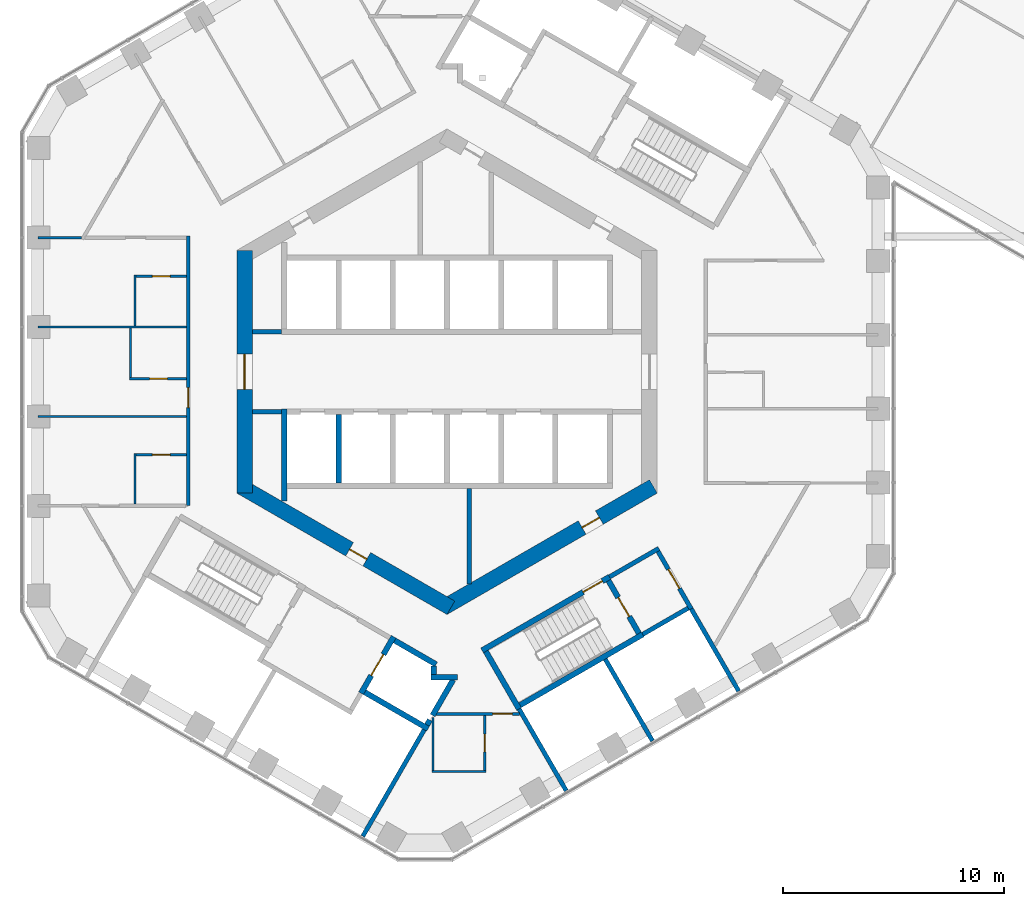
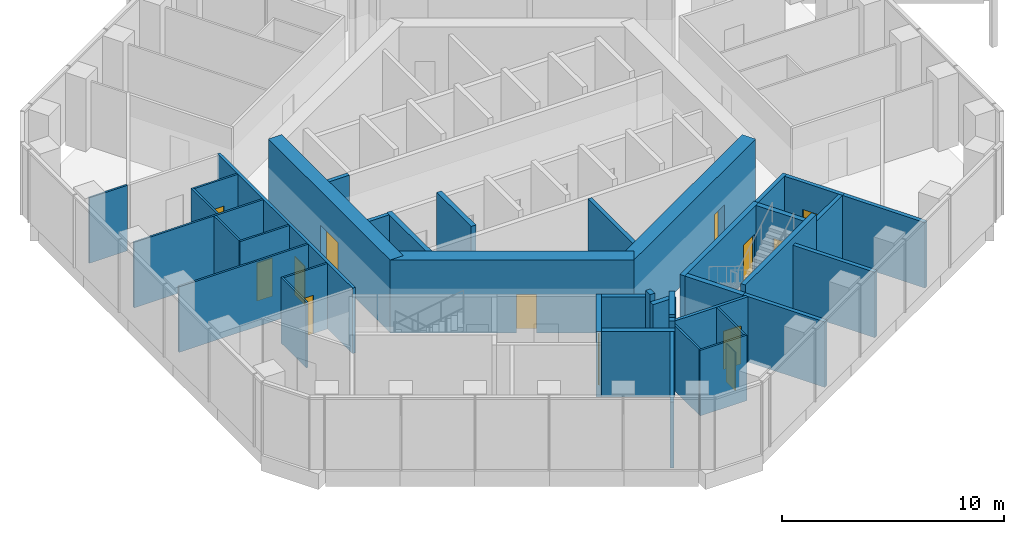
# One storey, part 19 of 25: 40 walls, 13 doors, 13 openings.
"""IFC4 building model written with IfcOpenShell, lengths in metres."""

import ifcopenshell
import ifcopenshell.guid

model = None  # the IFC model being written
_history = None  # IfcOwnerHistory: only IFC2X3 demands one
_inside = {}  # id of a spatial element -> (the spatial element, [elements in it])
_under = {}  # id of a project, library or spatial element -> (it, [spatial elements below it])
_declared = {}  # id of a project -> (the project, [libraries it declares])
_typed = {}  # id of a type object -> (the type object, [elements of that type])
_made_of = {}  # id of a material, layer set ... -> (it, [elements and type objects made of it])


def new_model(schema):
    """Start an empty IFC model of exactly this schema.

    Asked for "IFC4X3", IfcOpenShell would pick the latest addendum, in which some entities
    have other attributes; the version numbers below select the first issue.
    IFC2X3 requires an IfcOwnerHistory on every rooted entity: one is made here for all.
    """
    global model, _history
    if schema == "IFC4X3":
        model = ifcopenshell.file(schema_version=(4, 3, 0, 0))
    else:
        model = ifcopenshell.file(schema=schema)
    _inside.clear()
    _under.clear()
    _declared.clear()
    _typed.clear()
    _made_of.clear()
    _history = None
    if model.schema == "IFC2X3":
        org = make("IfcOrganization", Name="unknown")
        user = make(
            "IfcPersonAndOrganization",
            ThePerson=make("IfcPerson", FamilyName="unknown"),
            TheOrganization=org,
        )
        app = make(
            "IfcApplication",
            ApplicationDeveloper=org,
            Version="unknown",
            ApplicationFullName="unknown",
            ApplicationIdentifier="unknown",
        )
        _history = make(
            "IfcOwnerHistory",
            OwningUser=user,
            OwningApplication=app,
            ChangeAction="ADDED",
            CreationDate=0,
        )
    return model


def make(cls, **values):
    """One entity of the class cls with the attributes given. An attribute that is None is left unset."""
    return model.create_entity(
        cls, **{name: value for name, value in values.items() if value is not None}
    )


def rooted(cls, **values):
    """An entity with a GlobalId (a new one), such as an element, a storey or a relation."""
    return make(cls, GlobalId=ifcopenshell.guid.new(), OwnerHistory=_history, **values)


def si_unit(unit_type, name, prefix=None):
    """IfcSIUnit, for example si_unit("LENGTHUNIT", "METRE", prefix="MILLI")."""
    return make("IfcSIUnit", UnitType=unit_type, Prefix=prefix, Name=name)


def assignment(units):
    """IfcUnitAssignment: the units of a project."""
    return None if units is None else make("IfcUnitAssignment", Units=units)


def point(xyz):
    """IfcCartesianPoint."""
    return None if xyz is None else make("IfcCartesianPoint", Coordinates=xyz)


def direction(xyz):
    """IfcDirection."""
    return None if xyz is None else make("IfcDirection", DirectionRatios=xyz)


def frame(location, z_axis=None, x_axis=None):
    """IfcAxis2Placement3D, a coordinate frame: its origin and axes. An axis left out is left unset."""
    return make(
        "IfcAxis2Placement3D",
        Location=point(location),
        Axis=direction(z_axis),
        RefDirection=direction(x_axis),
    )


def frame_2d(location, x_axis=None):
    """IfcAxis2Placement2D, a coordinate frame in the plane: its origin and x axis."""
    return make(
        "IfcAxis2Placement2D", Location=point(location), RefDirection=direction(x_axis)
    )


def origin():
    """The frame at (0, 0, 0) with its axes left unset."""
    return frame((0.0, 0.0, 0.0))


def place(relative_to, where):
    """IfcLocalPlacement: puts the frame where relative to a parent placement (None: the world)."""
    return make(
        "IfcLocalPlacement", PlacementRelTo=relative_to, RelativePlacement=where
    )


def context(
    kind, dimensions, precision=None, world=None, true_north=None, identifier=None
):
    """IfcGeometricRepresentationContext, for example the 3D "Model" context."""
    return make(
        "IfcGeometricRepresentationContext",
        ContextIdentifier=identifier,
        ContextType=kind,
        CoordinateSpaceDimension=dimensions,
        Precision=precision,
        WorldCoordinateSystem=world,
        TrueNorth=true_north,
    )


def subcontext(parent, identifier, kind, view, scale=None):
    """IfcGeometricRepresentationSubContext, for example "Body" below "Model"."""
    return make(
        "IfcGeometricRepresentationSubContext",
        ContextIdentifier=identifier,
        ContextType=kind,
        ParentContext=parent,
        TargetScale=scale,
        TargetView=view,
    )


def project(units=None, contexts=None):
    """IfcProject with its units and contexts."""
    return rooted(
        "IfcProject",
        Name="project",
        RepresentationContexts=contexts,
        UnitsInContext=assignment(units),
    )


def spatial(cls, under=None, at=None, **own):
    """A site, building, storey or space (cls), placed at a placement, below another one or the project."""
    s = rooted(cls, ObjectPlacement=at, **own)
    if under is not None:
        _under.setdefault(under.id(), (under, []))[1].append(s)
    return s


def profile(cls, at=None, kind="AREA", **sizes):
    """A parametric profile (cls). Its sizes go by their IFC names, for example OverallWidth=200.0."""
    return make(cls, ProfileType=kind, Position=at, **sizes)


def rectangle(**sizes):
    """IfcRectangleProfileDef."""
    return profile("IfcRectangleProfileDef", **sizes)


def extrude(swept, where, along, depth):
    """IfcExtrudedAreaSolid: the profile swept, set in the frame where, extruded along a direction by depth."""
    return make(
        "IfcExtrudedAreaSolid",
        SweptArea=swept,
        Position=where,
        ExtrudedDirection=direction(along),
        Depth=depth,
    )


def shape(context_of_items, identifier, shape_type, items):
    """IfcShapeRepresentation: the items that make up one representation, for example the "Body"."""
    return make(
        "IfcShapeRepresentation",
        ContextOfItems=context_of_items,
        RepresentationIdentifier=identifier,
        RepresentationType=shape_type,
        Items=items,
    )


def material(Name=None, Category=None):
    """IfcMaterial."""
    return make("IfcMaterial", Name=Name, Category=Category)


def layer(
    of_material, thickness, ventilated=None, Name=None, Category=None, Priority=None
):
    """IfcMaterialLayer: one layer of a wall or slab, of a material (None: an air gap)."""
    return make(
        "IfcMaterialLayer",
        Material=of_material,
        LayerThickness=thickness,
        IsVentilated=ventilated,
        Name=Name,
        Category=Category,
        Priority=Priority,
    )


def layer_set(layers, Name=None):
    """IfcMaterialLayerSet."""
    return make("IfcMaterialLayerSet", MaterialLayers=layers, LayerSetName=Name)


def made_of(thing, what):
    """Note that an element or type object is made of a material, layer set ...; save() writes the relation."""
    if what is not None:
        _made_of.setdefault(what.id(), (what, []))[1].append(thing)
    return thing


def type_object(cls, material=None, **own):
    """A type object (cls), such as IfcWallType, which elements share."""
    return made_of(rooted(cls, **own), material)


def element(
    cls,
    number,
    at=None,
    inside=None,
    cuts=None,
    type_object=None,
    material=None,
    context=None,
    identifier="Body",
    shape_type=None,
    held_by="IfcProductDefinitionShape",
    body=None,
    shapes=None,
    **own,
):
    """One element of the class cls, such as IfcWall. Its Tag is "e" and its number.

    at: its placement. inside: the storey or other place that contains it. cuts: it is an
    opening in that element (IfcRelVoidsElement). A single representation is given by context,
    identifier, shape_type and body (its items); several are given by shapes. held_by: the class
    of the entity that holds the representations. save() writes the other relations.
    """
    e = rooted(cls, Tag="e%d" % number, ObjectPlacement=at, **own)
    if body is not None:
        shapes = [shape(context, identifier, shape_type, body)]
    if shapes is not None:
        e.Representation = make(held_by, Representations=shapes)
    if inside is not None:
        _inside.setdefault(inside.id(), (inside, []))[1].append(e)
    if cuts is not None:
        rooted(
            "IfcRelVoidsElement", RelatingBuildingElement=cuts, RelatedOpeningElement=e
        )
    if type_object is not None:
        _typed.setdefault(type_object.id(), (type_object, []))[1].append(e)
    return made_of(e, material)


def fill(opening, filler):
    """IfcRelFillsElement: the door or window that sits in an opening."""
    return rooted(
        "IfcRelFillsElement",
        RelatingOpeningElement=opening,
        RelatedBuildingElement=filler,
    )


def aggregate(whole, parts):
    """IfcRelAggregates: a whole, such as a stair, and the parts it consists of."""
    return rooted("IfcRelAggregates", RelatingObject=whole, RelatedObjects=parts)


def save(model, path):
    """Write the relations noted so far, then the file.

    IfcRelAggregates (storeys below a building ...), IfcRelContainedInSpatialStructure (elements
    in a storey), IfcRelDefinesByType, IfcRelAssociatesMaterial and IfcRelDeclares: one each for
    every whole, place, type object, material and project.
    """
    for whole, parts in _under.values():
        aggregate(whole, parts)
    for where, things in _inside.values():
        rooted(
            "IfcRelContainedInSpatialStructure",
            RelatedElements=things,
            RelatingStructure=where,
        )
    for kind, things in _typed.values():
        rooted("IfcRelDefinesByType", RelatedObjects=things, RelatingType=kind)
    for what, things in _made_of.values():
        rooted("IfcRelAssociatesMaterial", RelatedObjects=things, RelatingMaterial=what)
    for by, libraries in _declared.values():
        rooted("IfcRelDeclares", RelatingContext=by, RelatedDefinitions=libraries)
    model.write(path)


model = new_model("IFC4")

# Units and contexts
model_context = context("Model", 3, precision=1e-05, world=origin(), true_north=direction((0.0, 1.0)))
body_context = subcontext(model_context, "Body", "Model", "MODEL_VIEW")
ifc_project = project(units=[si_unit("LENGTHUNIT", "METRE"), si_unit("AREAUNIT", "SQUARE_METRE"), si_unit("VOLUMEUNIT", "CUBIC_METRE"), si_unit("PLANEANGLEUNIT", "RADIAN"), si_unit("MASSUNIT", "GRAM", prefix="KILO")], contexts=[model_context])

# Site, building, storey
site_placement = place(None, origin())
site = spatial("IfcSite", under=ifc_project, at=site_placement, CompositionType="ELEMENT")
building_placement = place(site_placement, origin())
building = spatial("IfcBuilding", under=site, at=building_placement, Name="Ayvan Gate Tower", CompositionType="ELEMENT")
storey_placement = place(building_placement, frame((0.0, 0.0, 139.89990234375)))
storey = spatial("IfcBuildingStorey", under=building, at=storey_placement, Name="L37", CompositionType="ELEMENT", Elevation=139.89990234375)

# Wall, opening, door
ifc_material_1 = material(Name="Concrete C70/85", Category="concrete")
ifc_layer_1 = layer(ifc_material_1, 0.699951171875)
ifc_layer_set_1 = layer_set([ifc_layer_1], Name="Concrete C70/85")
wall_type_1 = type_object("IfcWallType", Name="Core wall 700 C70/85", PredefinedType="SHEAR", material=ifc_layer_set_1)
wall_1_placement = place(storey_placement, frame((-9.14990234375, 5.48486328125, 0.0), z_axis=(0.0, 0.0, 1.0), x_axis=(0.0, -1.0, 0.0)))
wall_1 = element("IfcWall", 1, at=wall_1_placement, inside=storey, type_object=wall_type_1, Name="CORE-L37-3", PredefinedType="SHEAR", context=body_context, shape_type="SweptSolid", body=[
    extrude(rectangle(XDim=10.9697265625, YDim=0.699951171875, at=frame_2d((5.48486328125, 0.0))), origin(), (0.0, 0.0, 1.0), 4.0),
])
opening_1_placement = place(wall_1_placement, frame((4.684814453125, 0.0, 0.0)))
opening_1 = element("IfcOpeningElement", 2, at=opening_1_placement, cuts=wall_1, Name="Opening L37-D53", PredefinedType="OPENING", context=body_context, shape_type="SweptSolid", body=[
    extrude(rectangle(XDim=1.60009765625, YDim=2.10009765625, at=frame_2d((0.800048828125, 1.050048828125))), frame((0.0, 0.35986328125, 0.0), z_axis=(0.0, -1.0, 0.0), x_axis=(1.0, 0.0, 0.0)), (0.0, 0.0, 1.0), 0.719970703125),
])
ifc_material_2 = material(Name="Timber door leaf", Category="wood")
door_type_1 = type_object("IfcDoorType", Name="DT-1600", OperationType="NOTDEFINED", PredefinedType="DOOR", material=ifc_material_2)
door_1_placement = place(opening_1_placement, origin())
door_1 = element("IfcDoor", 3, at=door_1_placement, inside=storey, type_object=door_type_1, Name="CD-L37-53", OperationType="SINGLE_SWING_RIGHT", OverallHeight=2.10009765625, OverallWidth=1.60009765625, PredefinedType="DOOR", context=body_context, shape_type="SweptSolid", body=[
    extrude(rectangle(XDim=1.60009765625, YDim=2.10009765625, at=frame_2d((0.800048828125, 1.050048828125))), frame((0.0, 0.02490234375, 0.0), z_axis=(0.0, -1.0, 0.0), x_axis=(1.0, 0.0, 0.0)), (0.0, 0.0, 1.0), 0.050048828125),
])
fill(opening_1, door_1)

wall_2_placement = place(storey_placement, frame((-9.324951171875, -5.181640625, 0.0), z_axis=(0.0, 0.0, 1.0), x_axis=(0.866023993627, -0.500002442456, 0.0)))
wall_2 = element("IfcWall", 4, at=wall_2_placement, inside=storey, type_object=wall_type_1, Name="CORE-L37-4", PredefinedType="SHEAR", context=body_context, shape_type="SweptSolid", body=[
    extrude(rectangle(XDim=10.9697265625, YDim=0.699951171875, at=frame_2d((5.48486328125, 0.0))), origin(), (0.0, 0.0, 1.0), 4.0),
])
opening_2_placement = place(wall_2_placement, frame((5.68212890625, 0.0, 0.0)))
opening_2 = element("IfcOpeningElement", 5, at=opening_2_placement, cuts=wall_2, Name="Opening L37-D50", PredefinedType="OPENING", context=body_context, shape_type="SweptSolid", body=[
    extrude(rectangle(XDim=0.89990234375, YDim=2.10009765625, at=frame_2d((0.449951171875, 1.050048828125))), frame((0.0, 0.35986328125, 0.0), z_axis=(0.0, -1.0, 0.0), x_axis=(1.0, 0.0, 0.0)), (0.0, 0.0, 1.0), 0.719970703125),
])
door_type_2 = type_object("IfcDoorType", Name="DT-900", OperationType="NOTDEFINED", PredefinedType="DOOR", material=ifc_material_2)
door_2_placement = place(opening_2_placement, origin())
door_2 = element("IfcDoor", 6, at=door_2_placement, inside=storey, type_object=door_type_2, Name="CD-L37-50", OperationType="SINGLE_SWING_LEFT", OverallHeight=2.10009765625, OverallWidth=0.89990234375, PredefinedType="DOOR", context=body_context, shape_type="SweptSolid", body=[
    extrude(rectangle(XDim=0.89990234375, YDim=2.10009765625, at=frame_2d((0.449951171875, 1.050048828125))), frame((0.0, 0.02490234375, 0.0), z_axis=(0.0, -1.0, 0.0), x_axis=(1.0, 0.0, 0.0)), (0.0, 0.0, 1.0), 0.050048828125),
])
fill(opening_2, door_2)

wall_3_placement = place(storey_placement, frame((-0.175048828125, -10.66650390625, 0.0), z_axis=(0.0, 0.0, 1.0), x_axis=(0.866023993627, 0.500002442456, 0.0)))
wall_3 = element("IfcWall", 7, at=wall_3_placement, inside=storey, type_object=wall_type_1, Name="CORE-L37-5", PredefinedType="SHEAR", context=body_context, shape_type="SweptSolid", body=[
    extrude(rectangle(XDim=10.9697265625, YDim=0.699951171875, at=frame_2d((5.48486328125, 0.0))), origin(), (0.0, 0.0, 1.0), 4.0),
])
opening_3_placement = place(wall_3_placement, frame((7.25244140625, 0.0, 0.0)))
opening_3 = element("IfcOpeningElement", 8, at=opening_3_placement, cuts=wall_3, Name="Opening L37-D51", PredefinedType="OPENING", context=body_context, shape_type="SweptSolid", body=[
    extrude(rectangle(XDim=0.89990234375, YDim=2.10009765625, at=frame_2d((0.449951171875, 1.050048828125))), frame((0.0, 0.35986328125, 0.0), z_axis=(0.0, -1.0, 0.0), x_axis=(1.0, 0.0, 0.0)), (0.0, 0.0, 1.0), 0.719970703125),
])
door_3_placement = place(opening_3_placement, origin())
door_3 = element("IfcDoor", 9, at=door_3_placement, inside=storey, type_object=door_type_2, Name="CD-L37-51", OperationType="SINGLE_SWING_RIGHT", OverallHeight=2.10009765625, OverallWidth=0.89990234375, PredefinedType="DOOR", context=body_context, shape_type="SweptSolid", body=[
    extrude(rectangle(XDim=0.89990234375, YDim=2.10009765625, at=frame_2d((0.449951171875, 1.050048828125))), frame((0.0, 0.02490234375, 0.0), z_axis=(0.0, -1.0, 0.0), x_axis=(1.0, 0.0, 0.0)), (0.0, 0.0, 1.0), 0.050048828125),
])
fill(opening_3, door_3)

ifc_material_3 = material(Name="Plasterboard on steel stud", Category="steel")
ifc_layer_2 = layer(ifc_material_3, 0.14990234375)
ifc_layer_set_2 = layer_set([ifc_layer_2], Name="Plasterboard on steel stud")
wall_type_2 = type_object("IfcWallType", Name="WT-CORR-150", PredefinedType="PARTITIONING", material=ifc_layer_set_2)
wall_4_placement = place(storey_placement, frame((-11.699951171875, 6.129150390625, 0.0), z_axis=(0.0, 0.0, 1.0), x_axis=(0.0, -1.0, 0.0)))
wall_4 = element("IfcWall", 10, at=wall_4_placement, inside=storey, type_object=wall_type_2, Name="IW-L37-017", PredefinedType="PARTITIONING", context=body_context, shape_type="SweptSolid", body=[
    extrude(rectangle(XDim=12.183349609375, YDim=0.14990234375, at=frame_2d((6.091796875, 0.0))), origin(), (0.0, 0.0, 1.0), 3.60009765625),
])
opening_4_placement = place(wall_4_placement, frame((6.847412109375, 0.0, 0.0)))
opening_4 = element("IfcOpeningElement", 11, at=opening_4_placement, cuts=wall_4, Name="Opening L37-D24", PredefinedType="OPENING", context=body_context, shape_type="SweptSolid", body=[
    extrude(rectangle(XDim=0.89990234375, YDim=2.10009765625, at=frame_2d((0.449951171875, 1.050048828125))), frame((0.0, 0.0849609375, 0.0), z_axis=(0.0, -1.0, 0.0), x_axis=(1.0, 0.0, 0.0)), (0.0, 0.0, 1.0), 0.169921875),
])
door_4_placement = place(opening_4_placement, origin())
door_4 = element("IfcDoor", 12, at=door_4_placement, inside=storey, type_object=door_type_2, Name="ID-L37-024", OperationType="SINGLE_SWING_LEFT", OverallHeight=2.10009765625, OverallWidth=0.89990234375, PredefinedType="DOOR", context=body_context, shape_type="SweptSolid", body=[
    extrude(rectangle(XDim=0.89990234375, YDim=2.10009765625, at=frame_2d((0.449951171875, 1.050048828125))), frame((0.0, 0.02490234375, 0.0), z_axis=(0.0, -1.0, 0.0), x_axis=(1.0, 0.0, 0.0)), (0.0, 0.0, 1.0), 0.050048828125),
])
fill(opening_4, door_4)

wall_5_placement = place(storey_placement, frame((-0.489013671875, -15.46337890625, 0.0), z_axis=(0.0, 0.0, 1.0), x_axis=(1.0, 0.0, 0.0)))
wall_5 = element("IfcWall", 13, at=wall_5_placement, inside=storey, type_object=wall_type_2, Name="IW-L37-072", PredefinedType="PARTITIONING", context=body_context, shape_type="SweptSolid", body=[
    extrude(rectangle(XDim=3.7744140625, YDim=0.14990234375, at=frame_2d((1.88720703125, 0.0))), origin(), (0.0, 0.0, 1.0), 3.60009765625),
])
opening_5_placement = place(wall_5_placement, frame((2.5478515625, 0.0, 0.0)))
opening_5 = element("IfcOpeningElement", 14, at=opening_5_placement, cuts=wall_5, Name="Opening L37-D29", PredefinedType="OPENING", context=body_context, shape_type="SweptSolid", body=[
    extrude(rectangle(XDim=0.89990234375, YDim=2.10009765625, at=frame_2d((0.449951171875, 1.050048828125))), frame((0.0, 0.0849609375, 0.0), z_axis=(0.0, -1.0, 0.0), x_axis=(1.0, 0.0, 0.0)), (0.0, 0.0, 1.0), 0.169921875),
])
door_5_placement = place(opening_5_placement, origin())
door_5 = element("IfcDoor", 15, at=door_5_placement, inside=storey, type_object=door_type_2, Name="ID-L37-029", OperationType="SINGLE_SWING_RIGHT", OverallHeight=2.10009765625, OverallWidth=0.89990234375, PredefinedType="DOOR", context=body_context, shape_type="SweptSolid", body=[
    extrude(rectangle(XDim=0.89990234375, YDim=2.10009765625, at=frame_2d((0.449951171875, 1.050048828125))), frame((0.0, 0.02490234375, 0.0), z_axis=(0.0, -1.0, 0.0), x_axis=(1.0, 0.0, 0.0)), (0.0, 0.0, 1.0), 0.050048828125),
])
fill(opening_5, door_5)

# Wall
ifc_layer_3 = layer(ifc_material_3, 0.10009765625)
ifc_layer_set_3 = layer_set([ifc_layer_3], Name="Plasterboard on steel stud")
wall_type_3 = type_object("IfcWallType", Name="WT-PART-100", PredefinedType="PARTITIONING", material=ifc_layer_set_3)
wall_6_placement = place(storey_placement, frame((-16.513916015625, 6.05419921875, 0.0), z_axis=(0.0, 0.0, 1.0), x_axis=(-1.0, 0.0, 0.0)))
element("IfcWall", 16, at=wall_6_placement, inside=storey, type_object=wall_type_3, Name="IW-L37-002", PredefinedType="PARTITIONING", context=body_context, shape_type="SweptSolid", body=[
    extrude(rectangle(XDim=1.980224609375, YDim=0.10009765625, at=frame_2d((0.990234375, 0.0))), origin(), (0.0, 0.0, 1.0), 3.60009765625),
])

# Wall, opening, door
wall_7_placement = place(storey_placement, frame((-14.35009765625, -0.318115234375, 0.0), z_axis=(0.0, 0.0, 1.0), x_axis=(1.0, 0.0, 0.0)))
wall_7 = element("IfcWall", 17, at=wall_7_placement, inside=storey, type_object=wall_type_3, Name="IW-L37-005", PredefinedType="PARTITIONING", context=body_context, shape_type="SweptSolid", body=[
    extrude(rectangle(XDim=2.5751953125, YDim=0.10009765625, at=frame_2d((1.28759765625, 0.0))), origin(), (0.0, 0.0, 1.0), 3.60009765625),
])
opening_6_placement = place(wall_7_placement, frame((0.91259765625, 0.0, 0.0)))
opening_6 = element("IfcOpeningElement", 18, at=opening_6_placement, cuts=wall_7, Name="Opening L37-D25", PredefinedType="OPENING", context=body_context, shape_type="SweptSolid", body=[
    extrude(rectangle(XDim=0.800048828125, YDim=2.10009765625, at=frame_2d((0.39990234375, 1.050048828125))), frame((0.0, 0.06005859375, 0.0), z_axis=(0.0, -1.0, 0.0), x_axis=(1.0, 0.0, 0.0)), (0.0, 0.0, 1.0), 0.1201171875),
])
door_type_3 = type_object("IfcDoorType", Name="DT-800", OperationType="NOTDEFINED", PredefinedType="DOOR", material=ifc_material_2)
door_6_placement = place(opening_6_placement, origin())
door_6 = element("IfcDoor", 19, at=door_6_placement, inside=storey, type_object=door_type_3, Name="ID-L37-025", OperationType="SINGLE_SWING_RIGHT", OverallHeight=2.10009765625, OverallWidth=0.800048828125, PredefinedType="DOOR", context=body_context, shape_type="SweptSolid", body=[
    extrude(rectangle(XDim=0.800048828125, YDim=2.10009765625, at=frame_2d((0.39990234375, 1.050048828125))), frame((0.0, 0.02490234375, 0.0), z_axis=(0.0, -1.0, 0.0), x_axis=(1.0, 0.0, 0.0)), (0.0, 0.0, 1.0), 0.050048828125),
])
fill(opening_6, door_6)

# Walls
wall_8_placement = place(storey_placement, frame((-14.300048828125, 1.968017578125, 0.0), z_axis=(0.0, 0.0, 1.0), x_axis=(0.0, -1.0, 0.0)))
element("IfcWall", 20, at=wall_8_placement, inside=storey, type_object=wall_type_3, Name="IW-L37-006", PredefinedType="PARTITIONING", context=body_context, shape_type="SweptSolid", body=[
    extrude(rectangle(XDim=2.236083984375, YDim=0.10009765625, at=frame_2d((1.1181640625, 0.0))), origin(), (0.0, 0.0, 1.0), 3.60009765625),
])
wall_9_placement = place(storey_placement, frame((-18.494140625, 2.01806640625, 0.0), z_axis=(0.0, 0.0, 1.0), x_axis=(1.0, 0.0, 0.0)))
element("IfcWall", 21, at=wall_9_placement, inside=storey, type_object=wall_type_3, Name="IW-L37-007", PredefinedType="PARTITIONING", context=body_context, shape_type="SweptSolid", body=[
    extrude(rectangle(XDim=6.71923828125, YDim=0.10009765625, at=frame_2d((3.359619140625, 0.0))), origin(), (0.0, 0.0, 1.0), 3.60009765625),
])
wall_10_placement = place(storey_placement, frame((-14.10009765625, -3.7041015625, 0.0), z_axis=(0.0, 0.0, 1.0), x_axis=(0.0, -1.0, 0.0)))
element("IfcWall", 22, at=wall_10_placement, inside=storey, type_object=wall_type_3, Name="IW-L37-009", PredefinedType="PARTITIONING", context=body_context, shape_type="SweptSolid", body=[
    extrude(rectangle(XDim=2.275146484375, YDim=0.10009765625, at=frame_2d((1.1376953125, 0.0))), origin(), (0.0, 0.0, 1.0), 3.60009765625),
])
wall_11_placement = place(storey_placement, frame((-14.10009765625, 4.3681640625, 0.0), z_axis=(0.0, 0.0, 1.0), x_axis=(0.0, -1.0, 0.0)))
element("IfcWall", 23, at=wall_11_placement, inside=storey, type_object=wall_type_3, Name="IW-L37-010", PredefinedType="PARTITIONING", context=body_context, shape_type="SweptSolid", body=[
    extrude(rectangle(XDim=2.300048828125, YDim=0.10009765625, at=frame_2d((1.14990234375, 0.0))), origin(), (0.0, 0.0, 1.0), 3.60009765625),
])

# Wall, opening, door
wall_12_placement = place(storey_placement, frame((-11.77490234375, -3.754150390625, 0.0), z_axis=(0.0, 0.0, 1.0), x_axis=(-1.0, 0.0, 0.0)))
wall_12 = element("IfcWall", 24, at=wall_12_placement, inside=storey, type_object=wall_type_3, Name="IW-L37-015", PredefinedType="PARTITIONING", context=body_context, shape_type="SweptSolid", body=[
    extrude(rectangle(XDim=2.275146484375, YDim=0.10009765625, at=frame_2d((1.1376953125, 0.0))), origin(), (0.0, 0.0, 1.0), 3.60009765625),
])
opening_7_placement = place(wall_12_placement, frame((0.737548828125, 0.0, 0.0)))
opening_7 = element("IfcOpeningElement", 25, at=opening_7_placement, cuts=wall_12, Name="Opening L37-D27", PredefinedType="OPENING", context=body_context, shape_type="SweptSolid", body=[
    extrude(rectangle(XDim=0.800048828125, YDim=2.10009765625, at=frame_2d((0.39990234375, 1.050048828125))), frame((0.0, 0.06005859375, 0.0), z_axis=(0.0, -1.0, 0.0), x_axis=(1.0, 0.0, 0.0)), (0.0, 0.0, 1.0), 0.1201171875),
])
door_7_placement = place(opening_7_placement, origin())
door_7 = element("IfcDoor", 26, at=door_7_placement, inside=storey, type_object=door_type_3, Name="ID-L37-027", OperationType="SINGLE_SWING_RIGHT", OverallHeight=2.10009765625, OverallWidth=0.800048828125, PredefinedType="DOOR", context=body_context, shape_type="SweptSolid", body=[
    extrude(rectangle(XDim=0.800048828125, YDim=2.10009765625, at=frame_2d((0.39990234375, 1.050048828125))), frame((0.0, 0.02490234375, 0.0), z_axis=(0.0, -1.0, 0.0), x_axis=(1.0, 0.0, 0.0)), (0.0, 0.0, 1.0), 0.050048828125),
])
fill(opening_7, door_7)

# Wall
wall_13_placement = place(storey_placement, frame((-11.77490234375, -2.01806640625, 0.0), z_axis=(0.0, 0.0, 1.0), x_axis=(-1.0, 0.0, 0.0)))
element("IfcWall", 27, at=wall_13_placement, inside=storey, type_object=wall_type_3, Name="IW-L37-016", PredefinedType="PARTITIONING", context=body_context, shape_type="SweptSolid", body=[
    extrude(rectangle(XDim=6.71923828125, YDim=0.10009765625, at=frame_2d((3.359619140625, 0.0))), origin(), (0.0, 0.0, 1.0), 3.60009765625),
])

# Wall, opening, door
wall_14_placement = place(storey_placement, frame((-11.77490234375, 4.318115234375, 0.0), z_axis=(0.0, 0.0, 1.0), x_axis=(-1.0, 0.0, 0.0)))
wall_14 = element("IfcWall", 28, at=wall_14_placement, inside=storey, type_object=wall_type_3, Name="IW-L37-018", PredefinedType="PARTITIONING", context=body_context, shape_type="SweptSolid", body=[
    extrude(rectangle(XDim=2.275146484375, YDim=0.10009765625, at=frame_2d((1.1376953125, 0.0))), origin(), (0.0, 0.0, 1.0), 3.60009765625),
])
opening_8_placement = place(wall_14_placement, frame((0.737548828125, 0.0, 0.0)))
opening_8 = element("IfcOpeningElement", 29, at=opening_8_placement, cuts=wall_14, Name="Opening L37-D23", PredefinedType="OPENING", context=body_context, shape_type="SweptSolid", body=[
    extrude(rectangle(XDim=0.800048828125, YDim=2.10009765625, at=frame_2d((0.39990234375, 1.050048828125))), frame((0.0, 0.06005859375, 0.0), z_axis=(0.0, -1.0, 0.0), x_axis=(1.0, 0.0, 0.0)), (0.0, 0.0, 1.0), 0.1201171875),
])
door_8_placement = place(opening_8_placement, origin())
door_8 = element("IfcDoor", 30, at=door_8_placement, inside=storey, type_object=door_type_3, Name="ID-L37-023", OperationType="SINGLE_SWING_RIGHT", OverallHeight=2.10009765625, OverallWidth=0.800048828125, PredefinedType="DOOR", context=body_context, shape_type="SweptSolid", body=[
    extrude(rectangle(XDim=0.800048828125, YDim=2.10009765625, at=frame_2d((0.39990234375, 1.050048828125))), frame((0.0, 0.02490234375, 0.0), z_axis=(0.0, -1.0, 0.0), x_axis=(1.0, 0.0, 0.0)), (0.0, 0.0, 1.0), 0.050048828125),
])
fill(opening_8, door_8)

# Walls
wall_15_placement = place(storey_placement, frame((-0.681396484375, -18.0634765625, 0.0), z_axis=(0.0, 0.0, 1.0), x_axis=(1.0, 0.0, 0.0)))
element("IfcWall", 31, at=wall_15_placement, inside=storey, type_object=wall_type_3, Name="IW-L37-055", PredefinedType="PARTITIONING", context=body_context, shape_type="SweptSolid", body=[
    extrude(rectangle(XDim=2.43408203125, YDim=0.10009765625, at=frame_2d((1.217041015625, 0.0))), origin(), (0.0, 0.0, 1.0), 3.60009765625),
])
wall_16_placement = place(storey_placement, frame((-0.63134765625, -15.618408203125, 0.0), z_axis=(0.0, 0.0, 1.0), x_axis=(0.0, -1.0, 0.0)))
element("IfcWall", 32, at=wall_16_placement, inside=storey, type_object=wall_type_3, Name="IW-L37-056", PredefinedType="PARTITIONING", context=body_context, shape_type="SweptSolid", body=[
    extrude(rectangle(XDim=2.39501953125, YDim=0.10009765625, at=frame_2d((1.197509765625, 0.0))), origin(), (0.0, 0.0, 1.0), 3.60009765625),
])

# Wall, opening, door
wall_17_placement = place(storey_placement, frame((1.70263671875, -18.013427734375, 0.0), z_axis=(0.0, 0.0, 1.0), x_axis=(0.0, 1.0, 0.0)))
wall_17 = element("IfcWall", 33, at=wall_17_placement, inside=storey, type_object=wall_type_3, Name="IW-L37-071", PredefinedType="PARTITIONING", context=body_context, shape_type="SweptSolid", body=[
    extrude(rectangle(XDim=2.474853515625, YDim=0.10009765625, at=frame_2d((1.2373046875, 0.0))), origin(), (0.0, 0.0, 1.0), 3.60009765625),
])
opening_9_placement = place(wall_17_placement, frame((0.83740234375, 0.0, 0.0)))
opening_9 = element("IfcOpeningElement", 34, at=opening_9_placement, cuts=wall_17, Name="Opening L37-D30", PredefinedType="OPENING", context=body_context, shape_type="SweptSolid", body=[
    extrude(rectangle(XDim=0.800048828125, YDim=2.10009765625, at=frame_2d((0.39990234375, 1.050048828125))), frame((0.0, 0.06005859375, 0.0), z_axis=(0.0, -1.0, 0.0), x_axis=(1.0, 0.0, 0.0)), (0.0, 0.0, 1.0), 0.1201171875),
])
door_9_placement = place(opening_9_placement, origin())
door_9 = element("IfcDoor", 35, at=door_9_placement, inside=storey, type_object=door_type_3, Name="ID-L37-030", OperationType="SINGLE_SWING_LEFT", OverallHeight=2.10009765625, OverallWidth=0.800048828125, PredefinedType="DOOR", context=body_context, shape_type="SweptSolid", body=[
    extrude(rectangle(XDim=0.800048828125, YDim=2.10009765625, at=frame_2d((0.39990234375, 1.050048828125))), frame((0.0, 0.02490234375, 0.0), z_axis=(0.0, -1.0, 0.0), x_axis=(1.0, 0.0, 0.0)), (0.0, 0.0, 1.0), 0.050048828125),
])
fill(opening_9, door_9)

# Walls
ifc_layer_4 = layer(ifc_material_3, 0.199951171875)
ifc_layer_set_4 = layer_set([ifc_layer_4], Name="Plasterboard on steel stud")
wall_type_4 = type_object("IfcWallType", Name="WT-PLUMB-200", PredefinedType="PLUMBINGWALL", material=ifc_layer_set_4)
wall_18_placement = place(storey_placement, frame((-1.027099609375, -16.178955078125, 0.0), z_axis=(0.0, 0.0, 1.0), x_axis=(-0.499995019066, -0.866028279509, 0.0)))
element("IfcWall", 36, at=wall_18_placement, inside=storey, type_object=wall_type_4, Name="IW-L37-053", PredefinedType="PLUMBINGWALL", context=body_context, shape_type="SweptSolid", body=[
    extrude(rectangle(XDim=5.556640625, YDim=0.199951171875, at=frame_2d((2.7783203125, 0.0))), origin(), (0.0, 0.0, 1.0), 3.60009765625),
])
wall_19_placement = place(storey_placement, frame((3.255615234375, -15.23876953125, 0.0), z_axis=(0.0, 0.0, 1.0), x_axis=(0.499986710104, -0.866033076574, 0.0)))
element("IfcWall", 37, at=wall_19_placement, inside=storey, type_object=wall_type_4, Name="IW-L37-080", PredefinedType="PLUMBINGWALL", context=body_context, shape_type="SweptSolid", body=[
    extrude(rectangle(XDim=4.26513671875, YDim=0.199951171875, at=frame_2d((2.132568359375, 0.0))), origin(), (0.0, 0.0, 1.0), 3.60009765625),
])
wall_20_placement = place(storey_placement, frame((7.152587890625, -12.98876953125, 0.0), z_axis=(0.0, 0.0, 1.0), x_axis=(0.500029638619, -0.866008291244, 0.0)))
element("IfcWall", 38, at=wall_20_placement, inside=storey, type_object=wall_type_4, Name="IW-L37-090", PredefinedType="PLUMBINGWALL", context=body_context, shape_type="SweptSolid", body=[
    extrude(rectangle(XDim=4.265380859375, YDim=0.199951171875, at=frame_2d((2.1328125, 0.0))), origin(), (0.0, 0.0, 1.0), 3.60009765625),
])
wall_21_placement = place(storey_placement, frame((10.900634765625, -10.6806640625, 0.0), z_axis=(0.0, 0.0, 1.0), x_axis=(-0.866007538022, -0.500030943131, 0.0)))
element("IfcWall", 39, at=wall_21_placement, inside=storey, type_object=wall_type_4, Name="IW-L37-104", PredefinedType="PLUMBINGWALL", context=body_context, shape_type="SweptSolid", body=[
    extrude(rectangle(XDim=2.374755859375, YDim=0.199951171875, at=frame_2d((1.1875, 0.0))), origin(), (0.0, 0.0, 1.0), 3.60009765625),
])
wall_22_placement = place(storey_placement, frame((11.037353515625, -10.71728515625, 0.0), z_axis=(0.0, 0.0, 1.0), x_axis=(0.499995032058, -0.866028272008, 0.0)))
element("IfcWall", 40, at=wall_22_placement, inside=storey, type_object=wall_type_4, Name="IW-L37-105", PredefinedType="PLUMBINGWALL", context=body_context, shape_type="SweptSolid", body=[
    extrude(rectangle(XDim=4.2900390625, YDim=0.199951171875, at=frame_2d((2.14501953125, 0.0))), origin(), (0.0, 0.0, 1.0), 3.60009765625),
])
ifc_layer_5 = layer(ifc_material_3, 0.199951171875)
ifc_layer_set_5 = layer_set([ifc_layer_5], Name="Plasterboard on steel stud")
wall_type_5 = type_object("IfcWallType", Name="WT-RATED-200", PredefinedType="PARTITIONING", material=ifc_layer_set_5)
for number, where, z_axis, x_axis, name in (
    (41, (-8.800048828125, 1.800048828125, 0.0), (0.0, 0.0, 1.0), (1.0, 0.0, 0.0), "IW-L37-022"),
    (42, (-7.474853515625, -1.800048828125, 0.0), (0.0, 0.0, 1.0), (-1.0, 0.0, 0.0), "IW-L37-031"),
):
    element("IfcWall", number, at=place(storey_placement, frame(where, z_axis=z_axis, x_axis=x_axis)), inside=storey, type_object=wall_type_5, Name=name, PredefinedType="PARTITIONING", context=body_context, shape_type="SweptSolid", body=[
        extrude(rectangle(XDim=1.3251953125, YDim=0.199951171875, at=frame_2d((0.66259765625, 0.0))), origin(), (0.0, 0.0, 1.0), 3.60009765625),
    ])
wall_23_placement = place(storey_placement, frame((1.0, -5.27490234375, 0.0), z_axis=(0.0, 0.0, 1.0), x_axis=(0.0, -1.0, 0.0)))
element("IfcWall", 43, at=wall_23_placement, inside=storey, type_object=wall_type_5, Name="IW-L37-069", PredefinedType="PARTITIONING", context=body_context, shape_type="SweptSolid", body=[
    extrude(rectangle(XDim=4.30908203125, YDim=0.199951171875, at=frame_2d((2.154541015625, 0.0))), origin(), (0.0, 0.0, 1.0), 3.60009765625),
])
wall_24_placement = place(storey_placement, frame((7.343994140625, -9.27001953125, 0.0), z_axis=(0.0, 0.0, 1.0), x_axis=(0.866005588531, 0.500034319456, 0.0)))
element("IfcWall", 44, at=wall_24_placement, inside=storey, type_object=wall_type_5, Name="IW-L37-093", PredefinedType="PARTITIONING", context=body_context, shape_type="SweptSolid", body=[
    extrude(rectangle(XDim=2.574951171875, YDim=0.199951171875, at=frame_2d((1.28759765625, 0.0))), origin(), (0.0, 0.0, 1.0), 3.60009765625),
])

# Wall, opening, door
wall_25_placement = place(storey_placement, frame((9.537353515625, -8.119140625, 0.0), z_axis=(0.0, 0.0, 1.0), x_axis=(0.499990139034, -0.866031096941, 0.0)))
wall_25 = element("IfcWall", 45, at=wall_25_placement, inside=storey, type_object=wall_type_5, Name="IW-L37-103", PredefinedType="PARTITIONING", context=body_context, shape_type="SweptSolid", body=[
    extrude(rectangle(XDim=3.0, YDim=0.199951171875, at=frame_2d((1.5, 0.0))), origin(), (0.0, 0.0, 1.0), 3.60009765625),
])
opening_10_placement = place(wall_25_placement, frame((0.93505859375, 0.0, 0.0)))
opening_10 = element("IfcOpeningElement", 46, at=opening_10_placement, cuts=wall_25, Name="Opening L37-D15", PredefinedType="OPENING", context=body_context, shape_type="SweptSolid", body=[
    extrude(rectangle(XDim=1.0, YDim=2.10009765625, at=frame_2d((0.5, 1.050048828125))), frame((0.0, 0.10986328125, 0.0), z_axis=(0.0, -1.0, 0.0), x_axis=(1.0, 0.0, 0.0)), (0.0, 0.0, 1.0), 0.219970703125),
])
door_type_4 = type_object("IfcDoorType", Name="DT-1000", OperationType="NOTDEFINED", PredefinedType="DOOR", material=ifc_material_2)
door_10_placement = place(opening_10_placement, origin())
door_10 = element("IfcDoor", 47, at=door_10_placement, inside=storey, type_object=door_type_4, Name="ID-L37-015", OperationType="SINGLE_SWING_RIGHT", OverallHeight=2.10009765625, OverallWidth=1.0, PredefinedType="DOOR", context=body_context, shape_type="SweptSolid", body=[
    extrude(rectangle(XDim=1.0, YDim=2.10009765625, at=frame_2d((0.5, 1.050048828125))), frame((0.0, 0.02490234375, 0.0), z_axis=(0.0, -1.0, 0.0), x_axis=(1.0, 0.0, 0.0)), (0.0, 0.0, 1.0), 0.050048828125),
])
fill(opening_10, door_10)

# Walls
ifc_material_4 = material(Name="Concrete C50/60", Category="concrete")
ifc_layer_6 = layer(ifc_material_4, 0.25)
ifc_layer_set_6 = layer_set([ifc_layer_6], Name="Concrete C50/60")
wall_type_6 = type_object("IfcWallType", Name="WT-RC-250", PredefinedType="SHEAR", material=ifc_layer_set_6)
wall_26_placement = place(storey_placement, frame((-7.35009765625, -5.845703125, 0.0), z_axis=(0.0, 0.0, 1.0), x_axis=(0.0, 1.0, 0.0)))
element("IfcWall", 48, at=wall_26_placement, inside=storey, type_object=wall_type_6, Name="IW-L37-028", PredefinedType="SHEAR", context=body_context, shape_type="SweptSolid", body=[
    extrude(rectangle(XDim=4.170654296875, YDim=0.25, at=frame_2d((2.08544921875, 0.0))), origin(), (0.0, 0.0, 1.0), 3.60009765625),
])
wall_27_placement = place(storey_placement, frame((-4.89990234375, -1.925048828125, 0.0), z_axis=(0.0, 0.0, 1.0), x_axis=(0.0, -1.0, 0.0)))
element("IfcWall", 49, at=wall_27_placement, inside=storey, type_object=wall_type_6, Name="IW-L37-038", PredefinedType="SHEAR", context=body_context, shape_type="SweptSolid", body=[
    extrude(rectangle(XDim=3.099853515625, YDim=0.25, at=frame_2d((1.5498046875, 0.0))), origin(), (0.0, 0.0, 1.0), 4.0),
])

# Wall, opening, door
wall_28_placement = place(storey_placement, frame((-2.409912109375, -11.97412109375, 0.0), z_axis=(0.0, 0.0, 1.0), x_axis=(-0.500001826776, -0.866024349092, 0.0)))
wall_28 = element("IfcWall", 50, at=wall_28_placement, inside=storey, type_object=wall_type_6, Name="IW-L37-046", PredefinedType="SHEAR", context=body_context, shape_type="SweptSolid", body=[
    extrude(rectangle(XDim=2.9501953125, YDim=0.25, at=frame_2d((1.47509765625, 0.0))), origin(), (0.0, 0.0, 1.0), 3.60009765625),
])
opening_11_placement = place(wall_28_placement, frame((0.925048828125, 0.0, 0.0)))
opening_11 = element("IfcOpeningElement", 51, at=opening_11_placement, cuts=wall_28, Name="Opening L37-LD-FF2", PredefinedType="OPENING", context=body_context, shape_type="SweptSolid", body=[
    extrude(rectangle(XDim=1.10009765625, YDim=2.10009765625, at=frame_2d((0.550048828125, 1.050048828125))), frame((0.0, 0.135009765625, 0.0), z_axis=(0.0, -1.0, 0.0), x_axis=(1.0, 0.0, 0.0)), (0.0, 0.0, 1.0), 0.27001953125),
])
ifc_material_5 = material(Name="Stainless steel landing door", Category="steel")
door_type_5 = type_object("IfcDoorType", Name="DT-LANDING-1100", OperationType="SLIDING_TO_LEFT", PredefinedType="DOOR", material=ifc_material_5)
door_11_placement = place(opening_11_placement, origin())
door_11 = element("IfcDoor", 52, at=door_11_placement, inside=storey, type_object=door_type_5, Name="ID-L37-013", OperationType="SLIDING_TO_LEFT", OverallHeight=2.10009765625, OverallWidth=1.10009765625, PredefinedType="DOOR", context=body_context, shape_type="SweptSolid", body=[
    extrude(rectangle(XDim=1.10009765625, YDim=2.10009765625, at=frame_2d((0.550048828125, 1.050048828125))), frame((0.0, 0.02490234375, 0.0), z_axis=(0.0, -1.0, 0.0), x_axis=(1.0, 0.0, 0.0)), (0.0, 0.0, 1.0), 0.050048828125),
])
fill(opening_11, door_11)

# Walls
wall_29_placement = place(storey_placement, frame((-2.3642578125, -12.14501953125, 0.0), z_axis=(0.0, 0.0, 1.0), x_axis=(0.86603892542, -0.499976579108, 0.0)))
element("IfcWall", 53, at=wall_29_placement, inside=storey, type_object=wall_type_6, Name="IW-L37-047", PredefinedType="SHEAR", context=body_context, shape_type="SweptSolid", body=[
    extrude(rectangle(XDim=2.162109375, YDim=0.25, at=frame_2d((1.0810546875, 0.0))), origin(), (0.0, 0.0, 1.0), 3.60009765625),
])
wall_30_placement = place(storey_placement, frame((-0.8564453125, -16.13330078125, 0.0), z_axis=(0.0, 0.0, 1.0), x_axis=(-0.866021716278, 0.500006386895, 0.0)))
element("IfcWall", 54, at=wall_30_placement, inside=storey, type_object=wall_type_6, Name="IW-L37-054", PredefinedType="SHEAR", context=body_context, shape_type="SweptSolid", body=[
    extrude(rectangle(XDim=3.2998046875, YDim=0.25, at=frame_2d((1.64990234375, 0.0))), origin(), (0.0, 0.0, 1.0), 3.60009765625),
])
wall_31_placement = place(storey_placement, frame((-0.771240234375, -15.73583984375, 0.0), z_axis=(0.0, 0.0, 1.0), x_axis=(-0.500153222552, -0.865936922628, 0.0)))
element("IfcWall", 55, at=wall_31_placement, inside=storey, type_object=wall_type_6, Name="IW-L37-057", PredefinedType="SHEAR", context=body_context, shape_type="SweptSolid", body=[
    extrude(rectangle(XDim=0.26171875, YDim=0.25, at=frame_2d((0.130859375, 0.0))), origin(), (0.0, 0.0, 1.0), 4.0),
])
wall_32_placement = place(storey_placement, frame((-0.72509765625, -13.81005859375, 0.0), z_axis=(0.0, 0.0, 1.0), x_axis=(1.0, 0.0, 0.0)))
element("IfcWall", 56, at=wall_32_placement, inside=storey, type_object=wall_type_6, Name="IW-L37-058", PredefinedType="SHEAR", context=body_context, shape_type="SweptSolid", body=[
    extrude(rectangle(XDim=1.190673828125, YDim=0.25, at=frame_2d((0.59521484375, 0.0))), origin(), (0.0, 0.0, 1.0), 3.60009765625),
])
wall_33_placement = place(storey_placement, frame((-0.60009765625, -13.28857421875, 0.0), z_axis=(0.0, 0.0, 1.0), x_axis=(0.0, -1.0, 0.0)))
element("IfcWall", 57, at=wall_33_placement, inside=storey, type_object=wall_type_6, Name="IW-L37-059", PredefinedType="SHEAR", context=body_context, shape_type="SweptSolid", body=[
    extrude(rectangle(XDim=0.396484375, YDim=0.25, at=frame_2d((0.1982421875, 0.0))), origin(), (0.0, 0.0, 1.0), 4.0),
])
wall_34_placement = place(storey_placement, frame((0.278076171875, -13.918212890625, 0.0), z_axis=(0.0, 0.0, 1.0), x_axis=(-0.499980071345, -0.866036909293, 0.0)))
element("IfcWall", 58, at=wall_34_placement, inside=storey, type_object=wall_type_6, Name="IW-L37-064", PredefinedType="SHEAR", context=body_context, shape_type="SweptSolid", body=[
    extrude(rectangle(XDim=1.859375, YDim=0.25, at=frame_2d((0.9296875, 0.0))), origin(), (0.0, 0.0, 1.0), 4.0),
])

# Wall, opening, door
wall_35_placement = place(storey_placement, frame((1.584716796875, -12.594970703125, 0.0), z_axis=(0.0, 0.0, 1.0), x_axis=(0.866036417653, 0.499980922934, 0.0)))
wall_35 = element("IfcWall", 59, at=wall_35_placement, inside=storey, type_object=wall_type_6, Name="IW-L37-070", PredefinedType="SHEAR", context=body_context, shape_type="SweptSolid", body=[
    extrude(rectangle(XDim=6.650146484375, YDim=0.25, at=frame_2d((3.3251953125, 0.0))), origin(), (0.0, 0.0, 1.0), 3.60009765625),
])
opening_12_placement = place(wall_35_placement, frame((5.27490234375, 0.0, 0.0)))
opening_12 = element("IfcOpeningElement", 60, at=opening_12_placement, cuts=wall_35, Name="Opening L37-D14", PredefinedType="OPENING", context=body_context, shape_type="SweptSolid", body=[
    extrude(rectangle(XDim=1.0, YDim=2.10009765625, at=frame_2d((0.5, 1.050048828125))), frame((0.0, 0.135009765625, 0.0), z_axis=(0.0, -1.0, 0.0), x_axis=(1.0, 0.0, 0.0)), (0.0, 0.0, 1.0), 0.27001953125),
])
door_12_placement = place(opening_12_placement, origin())
door_12 = element("IfcDoor", 61, at=door_12_placement, inside=storey, type_object=door_type_4, Name="ID-L37-014", OperationType="SINGLE_SWING_LEFT", OverallHeight=2.10009765625, OverallWidth=1.0, PredefinedType="DOOR", context=body_context, shape_type="SweptSolid", body=[
    extrude(rectangle(XDim=1.0, YDim=2.10009765625, at=frame_2d((0.5, 1.050048828125))), frame((0.0, 0.02490234375, 0.0), z_axis=(0.0, -1.0, 0.0), x_axis=(1.0, 0.0, 0.0)), (0.0, 0.0, 1.0), 0.050048828125),
])
fill(opening_12, door_12)

# Walls
wall_36_placement = place(storey_placement, frame((3.255615234375, -15.23876953125, 0.0), z_axis=(0.0, 0.0, 1.0), x_axis=(-0.50002537861, 0.866010750942, 0.0)))
element("IfcWall", 62, at=wall_36_placement, inside=storey, type_object=wall_type_6, Name="IW-L37-079", PredefinedType="SHEAR", context=body_context, shape_type="SweptSolid", body=[
    extrude(rectangle(XDim=2.999755859375, YDim=0.25, at=frame_2d((1.5, 0.0))), origin(), (0.0, 0.0, 1.0), 3.60009765625),
])
wall_37_placement = place(storey_placement, frame((3.30126953125, -15.068115234375, 0.0), z_axis=(0.0, 0.0, 1.0), x_axis=(0.866035036182, 0.499983315828, 0.0)))
element("IfcWall", 63, at=wall_37_placement, inside=storey, type_object=wall_type_6, Name="IW-L37-091", PredefinedType="SHEAR", context=body_context, shape_type="SweptSolid", body=[
    extrude(rectangle(XDim=6.400146484375, YDim=0.25, at=frame_2d((3.2001953125, 0.0))), origin(), (0.0, 0.0, 1.0), 4.0),
])

# Wall, opening, door
wall_38_placement = place(storey_placement, frame((7.298095703125, -9.44091796875, 0.0), z_axis=(0.0, 0.0, 1.0), x_axis=(0.500034990121, -0.866005201286, 0.0)))
wall_38 = element("IfcWall", 64, at=wall_38_placement, inside=storey, type_object=wall_type_6, Name="IW-L37-092", PredefinedType="SHEAR", context=body_context, shape_type="SweptSolid", body=[
    extrude(rectangle(XDim=2.749755859375, YDim=0.25, at=frame_2d((1.375, 0.0))), origin(), (0.0, 0.0, 1.0), 3.60009765625),
])
opening_13_placement = place(wall_38_placement, frame((0.875, 0.0, 0.0)))
opening_13 = element("IfcOpeningElement", 65, at=opening_13_placement, cuts=wall_38, Name="Opening L37-D16", PredefinedType="OPENING", context=body_context, shape_type="SweptSolid", body=[
    extrude(rectangle(XDim=1.0, YDim=2.10009765625, at=frame_2d((0.5, 1.050048828125))), frame((0.0, 0.135009765625, 0.0), z_axis=(0.0, -1.0, 0.0), x_axis=(1.0, 0.0, 0.0)), (0.0, 0.0, 1.0), 0.27001953125),
])
door_13_placement = place(opening_13_placement, origin())
door_13 = element("IfcDoor", 66, at=door_13_placement, inside=storey, type_object=door_type_4, Name="ID-L37-016", OperationType="SINGLE_SWING_LEFT", OverallHeight=2.10009765625, OverallWidth=1.0, PredefinedType="DOOR", context=body_context, shape_type="SweptSolid", body=[
    extrude(rectangle(XDim=1.0, YDim=2.10009765625, at=frame_2d((0.5, 1.050048828125))), frame((0.0, 0.02490234375, 0.0), z_axis=(0.0, -1.0, 0.0), x_axis=(1.0, 0.0, 0.0)), (0.0, 0.0, 1.0), 0.050048828125),
])
fill(opening_13, door_13)

save(model, "model.ifc")
